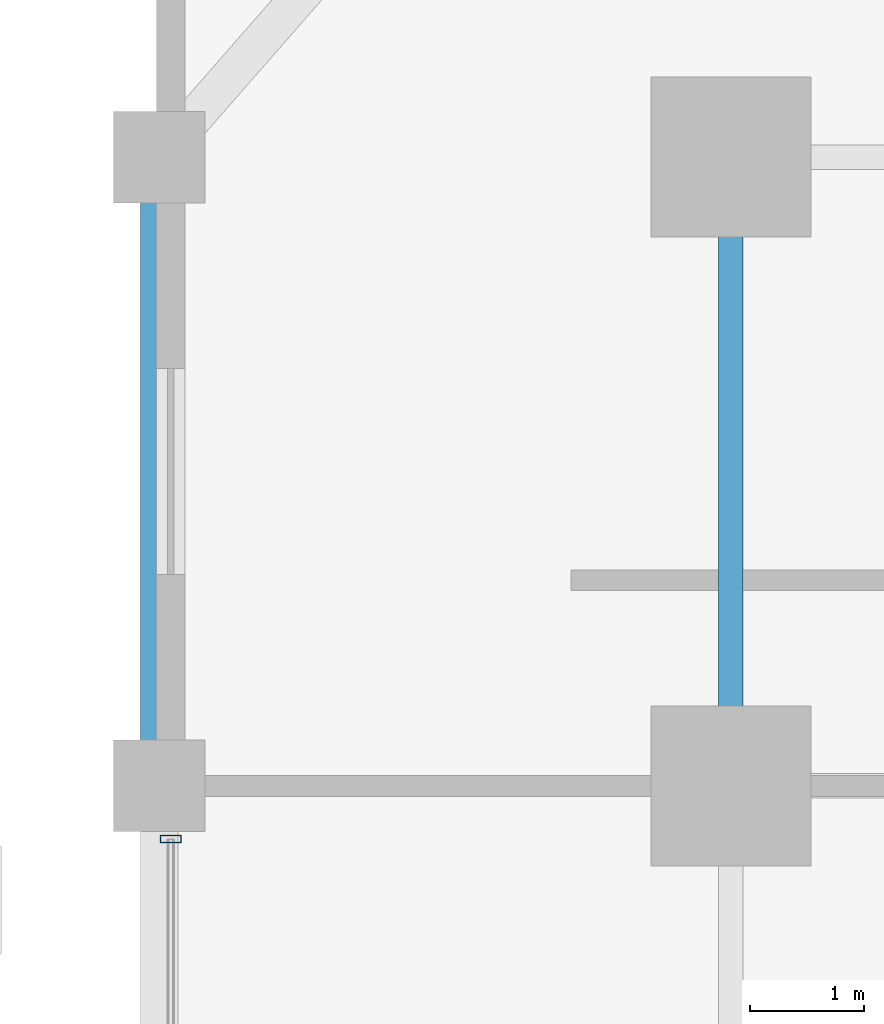
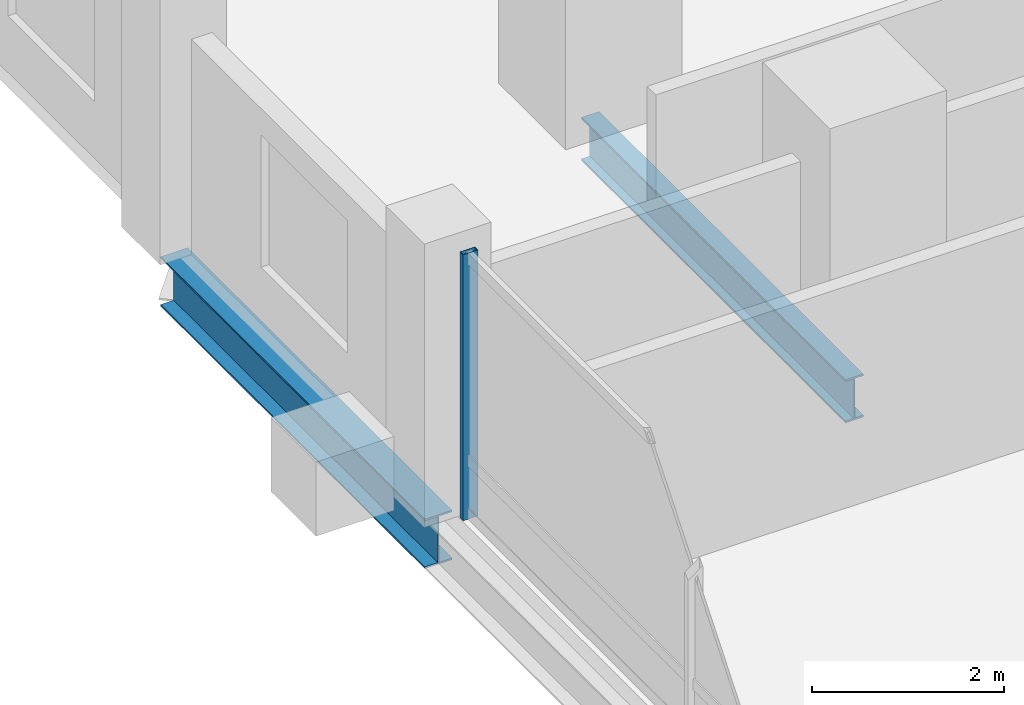
# One storey, part 11 of 21: 2 beams, 1 member, 1 element without a shape of its own.
"""IFC4 building model written with IfcOpenShell, lengths in metres."""

from ifc_helpers import new_model, si_unit, direction, frame, origin, origin_2d, place, context, subcontext, project, spatial, hollow_rectangle, i_section, extrude, material, layer, layer_set, material_profile, profile_set, type_object, element, aggregate, save


model = new_model("IFC4")

# Units and contexts
model_context = context("Model", 3, precision=1e-05, world=origin(), true_north=direction((0.0, 1.0)))
body_context = subcontext(model_context, "Body", "Model", "MODEL_VIEW")
ifc_project = project(units=[si_unit("LENGTHUNIT", "METRE"), si_unit("AREAUNIT", "SQUARE_METRE"), si_unit("VOLUMEUNIT", "CUBIC_METRE"), si_unit("PLANEANGLEUNIT", "RADIAN"), si_unit("MASSUNIT", "GRAM", prefix="KILO")], contexts=[model_context])

# Site, building, storey
site_placement = place(None, origin())
site = spatial("IfcSite", under=ifc_project, at=site_placement, CompositionType="ELEMENT")
building_placement = place(site_placement, origin())
building = spatial("IfcBuilding", under=site, at=building_placement, Name="Barlavira Tower and Art Museum", CompositionType="ELEMENT")
storey_placement = place(building_placement, frame((0.0, 0.0, 86.39990234375)))
storey = spatial("IfcBuildingStorey", under=building, at=storey_placement, Name="L21", CompositionType="ELEMENT", Elevation=86.39990234375)

# Curtain wall, member
ifc_material_1 = material(Name="Low-iron coastal laminated glass", Category="glass")
ifc_layer = layer(ifc_material_1, 0.179931640625, Name="Low-iron coastal laminated glass")
ifc_layer_set = layer_set([ifc_layer], Name="Low-iron coastal laminated glass")
curtain_wall_type = type_object("IfcCurtainWallType", Name="Pale-Metal Unitised Curtain Wall Zone 1", PredefinedType="NOTDEFINED", material=ifc_layer_set)
curtain_wall_placement = place(storey_placement, origin())
curtain_wall = element("IfcCurtainWall", 1, at=curtain_wall_placement, inside=storey, type_object=curtain_wall_type, Name="L21 Curtain Wall CW1-L21-W-B3", PredefinedType="NOTDEFINED")
ifc_material_2 = material(Name="Pale anodised aluminium", Category="aluminium")
ifc_material_profile_1 = material_profile(ifc_material_2, hollow_rectangle(XDim=0.06494140625, YDim=0.179931640625, WallThickness=0.00390625, at=origin_2d()), Name="ALU-MULL 65x180x4")
ifc_profile_set_1 = profile_set([ifc_material_profile_1], Name="Pale anodised aluminium")
member_type = type_object("IfcMemberType", Name="Curtain Wall Pale-Metal Mullion 65x180", PredefinedType="MULLION", material=ifc_profile_set_1)
member_placement = place(storey_placement, frame((-21.89990234375, 7.034912109375, 0.0), z_axis=(0.0, 0.0, 1.0), x_axis=(0.0, -1.0, 0.0)))
member = element("IfcMember", 2, at=member_placement, type_object=member_type, Name="CW1-L21-W-B3 Mullion 0", PredefinedType="MULLION", context=body_context, shape_type="SweptSolid", body=[
    extrude(hollow_rectangle(XDim=0.06494140625, YDim=0.179931640625, WallThickness=0.00390625, at=origin_2d()), origin(), (0.0, 0.0, 1.0), 3.380126953125),
])
aggregate(curtain_wall, [member])

# Beams
ifc_material_3 = material(Name="Steel S355", Category="steel")
ifc_material_profile_2 = material_profile(ifc_material_3, i_section(OverallWidth=0.327880859375, OverallDepth=0.62890625, WebThickness=0.013916015625, FlangeThickness=0.021484375, at=origin_2d()), Name="W610x174.0")
ifc_profile_set_2 = profile_set([ifc_material_profile_2], Name="Steel S355")
beam_type_1 = type_object("IfcBeamType", Name="Perimeter Spandrel Edge Beam W610x174 Steel S355", PredefinedType="SPANDREL", material=ifc_profile_set_2)
beam_1_placement = place(storey_placement, frame((-22.0, 7.5, -0.534423828125), z_axis=(0.0, 1.0, 0.0), x_axis=(-1.0, 0.0, 0.0)))
element("IfcBeam", 3, at=beam_1_placement, inside=storey, type_object=beam_type_1, Name="L21 Spandrel 13", PredefinedType="SPANDREL", context=body_context, shape_type="SweptSolid", body=[
    extrude(i_section(OverallWidth=0.327880859375, OverallDepth=0.62890625, WebThickness=0.013916015625, FlangeThickness=0.021484375, at=origin_2d()), origin(), (0.0, 0.0, 1.0), 5.5),
])
ifc_material_profile_3 = material_profile(ifc_material_3, i_section(OverallWidth=0.214111328125, OverallDepth=0.549072265625, WebThickness=0.0146484375, FlangeThickness=0.023681640625, at=origin_2d()), Name="W530x138.0")
ifc_profile_set_3 = profile_set([ifc_material_profile_3], Name="Steel S355")
beam_type_2 = type_object("IfcBeamType", Name="Zone 1 Primary Floor Girder W530x138 Steel S355", PredefinedType="BEAM", material=ifc_profile_set_3)
beam_2_placement = place(storey_placement, frame((-17.0, 7.5, -0.494384765625), z_axis=(0.0, 1.0, 0.0), x_axis=(-1.0, 0.0, 0.0)))
element("IfcBeam", 4, at=beam_2_placement, inside=storey, type_object=beam_type_2, Name="L21 Girder M-W3", PredefinedType="BEAM", context=body_context, shape_type="SweptSolid", body=[
    extrude(i_section(OverallWidth=0.214111328125, OverallDepth=0.549072265625, WebThickness=0.0146484375, FlangeThickness=0.023681640625, at=origin_2d()), origin(), (0.0, 0.0, 1.0), 5.5),
])

save(model, "model.ifc")
